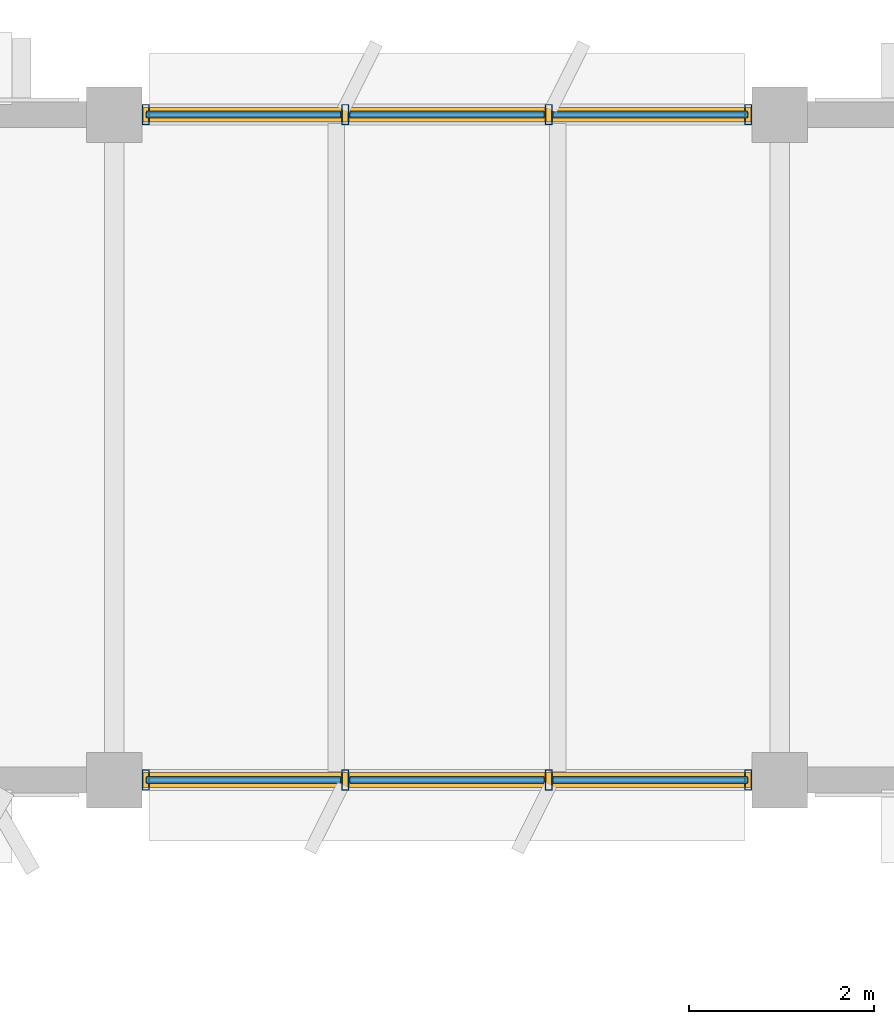
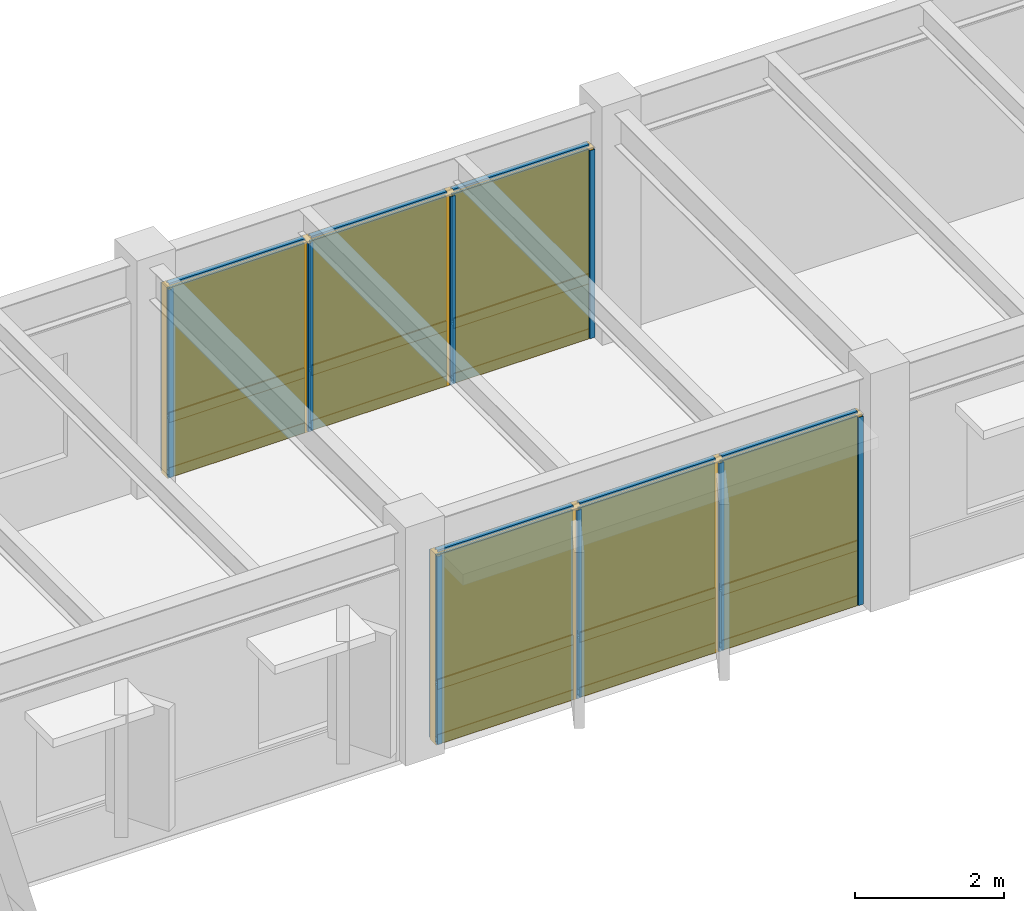
# One storey, part 67 of 82: 26 members, 12 plates, 2 curtain walls.
"""IFC4 building model written with IfcOpenShell, lengths in metres."""

import ifcopenshell
import ifcopenshell.guid

model = None  # the IFC model being written
_history = None  # IfcOwnerHistory: only IFC2X3 demands one
_inside = {}  # id of a spatial element -> (the spatial element, [elements in it])
_under = {}  # id of a project, library or spatial element -> (it, [spatial elements below it])
_declared = {}  # id of a project -> (the project, [libraries it declares])
_typed = {}  # id of a type object -> (the type object, [elements of that type])
_made_of = {}  # id of a material, layer set ... -> (it, [elements and type objects made of it])


def new_model(schema):
    """Start an empty IFC model of exactly this schema.

    Asked for "IFC4X3", IfcOpenShell would pick the latest addendum, in which some entities
    have other attributes; the version numbers below select the first issue.
    IFC2X3 requires an IfcOwnerHistory on every rooted entity: one is made here for all.
    """
    global model, _history
    if schema == "IFC4X3":
        model = ifcopenshell.file(schema_version=(4, 3, 0, 0))
    else:
        model = ifcopenshell.file(schema=schema)
    _inside.clear()
    _under.clear()
    _declared.clear()
    _typed.clear()
    _made_of.clear()
    _history = None
    if model.schema == "IFC2X3":
        org = make("IfcOrganization", Name="unknown")
        user = make(
            "IfcPersonAndOrganization",
            ThePerson=make("IfcPerson", FamilyName="unknown"),
            TheOrganization=org,
        )
        app = make(
            "IfcApplication",
            ApplicationDeveloper=org,
            Version="unknown",
            ApplicationFullName="unknown",
            ApplicationIdentifier="unknown",
        )
        _history = make(
            "IfcOwnerHistory",
            OwningUser=user,
            OwningApplication=app,
            ChangeAction="ADDED",
            CreationDate=0,
        )
    return model


def make(cls, **values):
    """One entity of the class cls with the attributes given. An attribute that is None is left unset."""
    return model.create_entity(
        cls, **{name: value for name, value in values.items() if value is not None}
    )


def rooted(cls, **values):
    """An entity with a GlobalId (a new one), such as an element, a storey or a relation."""
    return make(cls, GlobalId=ifcopenshell.guid.new(), OwnerHistory=_history, **values)


def si_unit(unit_type, name, prefix=None):
    """IfcSIUnit, for example si_unit("LENGTHUNIT", "METRE", prefix="MILLI")."""
    return make("IfcSIUnit", UnitType=unit_type, Prefix=prefix, Name=name)


def assignment(units):
    """IfcUnitAssignment: the units of a project."""
    return None if units is None else make("IfcUnitAssignment", Units=units)


def point(xyz):
    """IfcCartesianPoint."""
    return None if xyz is None else make("IfcCartesianPoint", Coordinates=xyz)


def direction(xyz):
    """IfcDirection."""
    return None if xyz is None else make("IfcDirection", DirectionRatios=xyz)


def frame(location, z_axis=None, x_axis=None):
    """IfcAxis2Placement3D, a coordinate frame: its origin and axes. An axis left out is left unset."""
    return make(
        "IfcAxis2Placement3D",
        Location=point(location),
        Axis=direction(z_axis),
        RefDirection=direction(x_axis),
    )


def frame_2d(location, x_axis=None):
    """IfcAxis2Placement2D, a coordinate frame in the plane: its origin and x axis."""
    return make(
        "IfcAxis2Placement2D", Location=point(location), RefDirection=direction(x_axis)
    )


def origin():
    """The frame at (0, 0, 0) with its axes left unset."""
    return frame((0.0, 0.0, 0.0))


def origin_2d():
    """The frame at (0, 0) in the plane with its x axis left unset."""
    return frame_2d((0.0, 0.0))


def place(relative_to, where):
    """IfcLocalPlacement: puts the frame where relative to a parent placement (None: the world)."""
    return make(
        "IfcLocalPlacement", PlacementRelTo=relative_to, RelativePlacement=where
    )


def context(
    kind, dimensions, precision=None, world=None, true_north=None, identifier=None
):
    """IfcGeometricRepresentationContext, for example the 3D "Model" context."""
    return make(
        "IfcGeometricRepresentationContext",
        ContextIdentifier=identifier,
        ContextType=kind,
        CoordinateSpaceDimension=dimensions,
        Precision=precision,
        WorldCoordinateSystem=world,
        TrueNorth=true_north,
    )


def subcontext(parent, identifier, kind, view, scale=None):
    """IfcGeometricRepresentationSubContext, for example "Body" below "Model"."""
    return make(
        "IfcGeometricRepresentationSubContext",
        ContextIdentifier=identifier,
        ContextType=kind,
        ParentContext=parent,
        TargetScale=scale,
        TargetView=view,
    )


def project(units=None, contexts=None):
    """IfcProject with its units and contexts."""
    return rooted(
        "IfcProject",
        Name="project",
        RepresentationContexts=contexts,
        UnitsInContext=assignment(units),
    )


def spatial(cls, under=None, at=None, **own):
    """A site, building, storey or space (cls), placed at a placement, below another one or the project."""
    s = rooted(cls, ObjectPlacement=at, **own)
    if under is not None:
        _under.setdefault(under.id(), (under, []))[1].append(s)
    return s


def profile(cls, at=None, kind="AREA", **sizes):
    """A parametric profile (cls). Its sizes go by their IFC names, for example OverallWidth=200.0."""
    return make(cls, ProfileType=kind, Position=at, **sizes)


def rectangle(**sizes):
    """IfcRectangleProfileDef."""
    return profile("IfcRectangleProfileDef", **sizes)


def hollow_rectangle(**sizes):
    """IfcRectangleHollowProfileDef."""
    return profile("IfcRectangleHollowProfileDef", **sizes)


def extrude(swept, where, along, depth):
    """IfcExtrudedAreaSolid: the profile swept, set in the frame where, extruded along a direction by depth."""
    return make(
        "IfcExtrudedAreaSolid",
        SweptArea=swept,
        Position=where,
        ExtrudedDirection=direction(along),
        Depth=depth,
    )


def shape(context_of_items, identifier, shape_type, items):
    """IfcShapeRepresentation: the items that make up one representation, for example the "Body"."""
    return make(
        "IfcShapeRepresentation",
        ContextOfItems=context_of_items,
        RepresentationIdentifier=identifier,
        RepresentationType=shape_type,
        Items=items,
    )


def material(Name=None, Category=None):
    """IfcMaterial."""
    return make("IfcMaterial", Name=Name, Category=Category)


def layer(
    of_material, thickness, ventilated=None, Name=None, Category=None, Priority=None
):
    """IfcMaterialLayer: one layer of a wall or slab, of a material (None: an air gap)."""
    return make(
        "IfcMaterialLayer",
        Material=of_material,
        LayerThickness=thickness,
        IsVentilated=ventilated,
        Name=Name,
        Category=Category,
        Priority=Priority,
    )


def layer_set(layers, Name=None):
    """IfcMaterialLayerSet."""
    return make("IfcMaterialLayerSet", MaterialLayers=layers, LayerSetName=Name)


def material_profile(
    of_material, cross_section, Name=None, Category=None, Priority=None
):
    """IfcMaterialProfile: a cross section and its material."""
    return make(
        "IfcMaterialProfile",
        Name=Name,
        Material=of_material,
        Profile=cross_section,
        Priority=Priority,
        Category=Category,
    )


def profile_set(profiles, Name=None, composite=None):
    """IfcMaterialProfileSet."""
    return make(
        "IfcMaterialProfileSet",
        Name=Name,
        MaterialProfiles=profiles,
        CompositeProfile=composite,
    )


def made_of(thing, what):
    """Note that an element or type object is made of a material, layer set ...; save() writes the relation."""
    if what is not None:
        _made_of.setdefault(what.id(), (what, []))[1].append(thing)
    return thing


def type_object(cls, material=None, **own):
    """A type object (cls), such as IfcWallType, which elements share."""
    return made_of(rooted(cls, **own), material)


def element(
    cls,
    number,
    at=None,
    inside=None,
    cuts=None,
    type_object=None,
    material=None,
    context=None,
    identifier="Body",
    shape_type=None,
    held_by="IfcProductDefinitionShape",
    body=None,
    shapes=None,
    **own,
):
    """One element of the class cls, such as IfcWall. Its Tag is "e" and its number.

    at: its placement. inside: the storey or other place that contains it. cuts: it is an
    opening in that element (IfcRelVoidsElement). A single representation is given by context,
    identifier, shape_type and body (its items); several are given by shapes. held_by: the class
    of the entity that holds the representations. save() writes the other relations.
    """
    e = rooted(cls, Tag="e%d" % number, ObjectPlacement=at, **own)
    if body is not None:
        shapes = [shape(context, identifier, shape_type, body)]
    if shapes is not None:
        e.Representation = make(held_by, Representations=shapes)
    if inside is not None:
        _inside.setdefault(inside.id(), (inside, []))[1].append(e)
    if cuts is not None:
        rooted(
            "IfcRelVoidsElement", RelatingBuildingElement=cuts, RelatedOpeningElement=e
        )
    if type_object is not None:
        _typed.setdefault(type_object.id(), (type_object, []))[1].append(e)
    return made_of(e, material)


def aggregate(whole, parts):
    """IfcRelAggregates: a whole, such as a stair, and the parts it consists of."""
    return rooted("IfcRelAggregates", RelatingObject=whole, RelatedObjects=parts)


def save(model, path):
    """Write the relations noted so far, then the file.

    IfcRelAggregates (storeys below a building ...), IfcRelContainedInSpatialStructure (elements
    in a storey), IfcRelDefinesByType, IfcRelAssociatesMaterial and IfcRelDeclares: one each for
    every whole, place, type object, material and project.
    """
    for whole, parts in _under.values():
        aggregate(whole, parts)
    for where, things in _inside.values():
        rooted(
            "IfcRelContainedInSpatialStructure",
            RelatedElements=things,
            RelatingStructure=where,
        )
    for kind, things in _typed.values():
        rooted("IfcRelDefinesByType", RelatedObjects=things, RelatingType=kind)
    for what, things in _made_of.values():
        rooted("IfcRelAssociatesMaterial", RelatedObjects=things, RelatingMaterial=what)
    for by, libraries in _declared.values():
        rooted("IfcRelDeclares", RelatingContext=by, RelatedDefinitions=libraries)
    model.write(path)


model = new_model("IFC4")

# Units and contexts
model_context = context("Model", 3, precision=1e-05, world=origin(), true_north=direction((0.0, 1.0)))
body_context = subcontext(model_context, "Body", "Model", "MODEL_VIEW")
ifc_project = project(units=[si_unit("LENGTHUNIT", "METRE"), si_unit("AREAUNIT", "SQUARE_METRE"), si_unit("VOLUMEUNIT", "CUBIC_METRE"), si_unit("PLANEANGLEUNIT", "RADIAN"), si_unit("MASSUNIT", "GRAM", prefix="KILO")], contexts=[model_context])

# Member
ifc_material_1 = material(Name="Anodized Aluminium 6063-T6", Category="aluminium")
ifc_material_profile_1 = material_profile(ifc_material_1, hollow_rectangle(XDim=0.074951171875, YDim=0.219970703125, WallThickness=0.0048828125, at=origin_2d()), Name="ALU 75x220x5")
ifc_profile_set_1 = profile_set([ifc_material_profile_1], Name="Anodized Aluminium 6063-T6")
member_type_1 = type_object("IfcMemberType", Name="CWM-75X180", PredefinedType="MULLION", material=ifc_profile_set_1)
site_placement = place(None, origin())
building_placement = place(site_placement, origin())
storey_placement = place(building_placement, frame((0.0, 0.0, 14.10009765625)))
member_1_placement = place(storey_placement, frame((86.06005859375, 108.0, 0.02001953125), z_axis=(0.0, 0.0, 1.0), x_axis=(1.0, 0.0, 0.0)))
member_1 = element("IfcMember", 1, at=member_1_placement, type_object=member_type_1, Name="Curtain wall mullion CW-L04-11-15-S-00", PredefinedType="MULLION", context=body_context, shape_type="SweptSolid", body=[
    extrude(hollow_rectangle(XDim=0.074951171875, YDim=0.219970703125, WallThickness=0.0048828125, at=origin_2d()), origin(), (0.0, 0.0, 1.0), 3.077880859375),
])

member_2_placement = place(storey_placement, frame((83.89990234375, 108.0, 0.02001953125), z_axis=(0.0, 0.0, 1.0), x_axis=(1.0, 0.0, 0.0)))
member_2 = element("IfcMember", 2, at=member_2_placement, type_object=member_type_1, Name="Curtain wall mullion CW-L04-11-15-S-01", PredefinedType="MULLION", context=body_context, shape_type="SweptSolid", body=[
    extrude(hollow_rectangle(XDim=0.074951171875, YDim=0.219970703125, WallThickness=0.0048828125, at=origin_2d()), origin(), (0.0, 0.0, 1.0), 3.077880859375),
])

member_3_placement = place(storey_placement, frame((81.699951171875, 108.0, 0.02001953125), z_axis=(0.0, 0.0, 1.0), x_axis=(1.0, 0.0, 0.0)))
member_3 = element("IfcMember", 3, at=member_3_placement, type_object=member_type_1, Name="Curtain wall mullion CW-L04-11-15-S-02", PredefinedType="MULLION", context=body_context, shape_type="SweptSolid", body=[
    extrude(hollow_rectangle(XDim=0.074951171875, YDim=0.219970703125, WallThickness=0.0048828125, at=origin_2d()), origin(), (0.0, 0.0, 1.0), 3.077880859375),
])

member_4_placement = place(storey_placement, frame((79.5400390625, 108.0, 0.02001953125), z_axis=(0.0, 0.0, 1.0), x_axis=(1.0, 0.0, 0.0)))
member_4 = element("IfcMember", 4, at=member_4_placement, type_object=member_type_1, Name="Curtain wall mullion CW-L04-11-15-S-03", PredefinedType="MULLION", context=body_context, shape_type="SweptSolid", body=[
    extrude(hollow_rectangle(XDim=0.074951171875, YDim=0.219970703125, WallThickness=0.0048828125, at=origin_2d()), origin(), (0.0, 0.0, 1.0), 3.077880859375),
])

member_5_placement = place(storey_placement, frame((79.5400390625, 115.199951171875, 0.02001953125), z_axis=(0.0, 0.0, 1.0), x_axis=(1.0, 0.0, 0.0)))
member_5 = element("IfcMember", 5, at=member_5_placement, type_object=member_type_1, Name="Curtain wall mullion CW-L04-11-15-N-00", PredefinedType="MULLION", context=body_context, shape_type="SweptSolid", body=[
    extrude(hollow_rectangle(XDim=0.074951171875, YDim=0.219970703125, WallThickness=0.0048828125, at=origin_2d()), origin(), (0.0, 0.0, 1.0), 3.077880859375),
])

member_6_placement = place(storey_placement, frame((81.699951171875, 115.199951171875, 0.02001953125), z_axis=(0.0, 0.0, 1.0), x_axis=(1.0, 0.0, 0.0)))
member_6 = element("IfcMember", 6, at=member_6_placement, type_object=member_type_1, Name="Curtain wall mullion CW-L04-11-15-N-01", PredefinedType="MULLION", context=body_context, shape_type="SweptSolid", body=[
    extrude(hollow_rectangle(XDim=0.074951171875, YDim=0.219970703125, WallThickness=0.0048828125, at=origin_2d()), origin(), (0.0, 0.0, 1.0), 3.077880859375),
])

member_7_placement = place(storey_placement, frame((83.89990234375, 115.199951171875, 0.02001953125), z_axis=(0.0, 0.0, 1.0), x_axis=(1.0, 0.0, 0.0)))
member_7 = element("IfcMember", 7, at=member_7_placement, type_object=member_type_1, Name="Curtain wall mullion CW-L04-11-15-N-02", PredefinedType="MULLION", context=body_context, shape_type="SweptSolid", body=[
    extrude(hollow_rectangle(XDim=0.074951171875, YDim=0.219970703125, WallThickness=0.0048828125, at=origin_2d()), origin(), (0.0, 0.0, 1.0), 3.077880859375),
])

member_8_placement = place(storey_placement, frame((86.06005859375, 115.199951171875, 0.02001953125), z_axis=(0.0, 0.0, 1.0), x_axis=(1.0, 0.0, 0.0)))
member_8 = element("IfcMember", 8, at=member_8_placement, type_object=member_type_1, Name="Curtain wall mullion CW-L04-11-15-N-03", PredefinedType="MULLION", context=body_context, shape_type="SweptSolid", body=[
    extrude(hollow_rectangle(XDim=0.074951171875, YDim=0.219970703125, WallThickness=0.0048828125, at=origin_2d()), origin(), (0.0, 0.0, 1.0), 3.077880859375),
])

ifc_material_profile_2 = material_profile(ifc_material_1, hollow_rectangle(XDim=0.074951171875, YDim=0.159912109375, WallThickness=0.00390625, at=origin_2d()), Name="ALU 75x160x4")
ifc_profile_set_2 = profile_set([ifc_material_profile_2], Name="Anodized Aluminium 6063-T6")
member_type_2 = type_object("IfcMemberType", Name="CWT-75X150", PredefinedType="USERDEFINED", material=ifc_profile_set_2)
member_9_placement = place(storey_placement, frame((86.050048828125, 108.0, 0.0498046875), z_axis=(-1.0, 0.0, 0.0), x_axis=(0.0, -1.0, 0.0)))
member_9 = element("IfcMember", 9, at=member_9_placement, type_object=member_type_2, Name="Curtain wall transom CW-L04-11-15-S-1.01", ObjectType="TRANSOM", PredefinedType="USERDEFINED", context=body_context, shape_type="SweptSolid", body=[
    extrude(hollow_rectangle(XDim=0.074951171875, YDim=0.159912109375, WallThickness=0.00390625, at=origin_2d()), origin(), (0.0, 0.0, 1.0), 2.10009765625),
])

member_10_placement = place(storey_placement, frame((83.85009765625, 108.0, 0.0498046875), z_axis=(-1.0, 0.0, 0.0), x_axis=(0.0, -1.0, 0.0)))
member_10 = element("IfcMember", 10, at=member_10_placement, type_object=member_type_2, Name="Curtain wall transom CW-L04-11-15-S-1.02", ObjectType="TRANSOM", PredefinedType="USERDEFINED", context=body_context, shape_type="SweptSolid", body=[
    extrude(hollow_rectangle(XDim=0.074951171875, YDim=0.159912109375, WallThickness=0.00390625, at=origin_2d()), origin(), (0.0, 0.0, 1.0), 2.10009765625),
])

member_11_placement = place(storey_placement, frame((81.64990234375, 108.0, 0.0498046875), z_axis=(-1.0, 0.0, 0.0), x_axis=(0.0, -1.0, 0.0)))
member_11 = element("IfcMember", 11, at=member_11_placement, type_object=member_type_2, Name="Curtain wall transom CW-L04-11-15-S-1.03", ObjectType="TRANSOM", PredefinedType="USERDEFINED", context=body_context, shape_type="SweptSolid", body=[
    extrude(hollow_rectangle(XDim=0.074951171875, YDim=0.159912109375, WallThickness=0.00390625, at=origin_2d()), origin(), (0.0, 0.0, 1.0), 2.099853515625),
])

member_12_placement = place(storey_placement, frame((86.050048828125, 108.0, 0.949951171875), z_axis=(-1.0, 0.0, 0.0), x_axis=(0.0, -1.0, 0.0)))
member_12 = element("IfcMember", 12, at=member_12_placement, type_object=member_type_2, Name="Curtain wall transom CW-L04-11-15-S-2.01", ObjectType="TRANSOM", PredefinedType="USERDEFINED", context=body_context, shape_type="SweptSolid", body=[
    extrude(hollow_rectangle(XDim=0.074951171875, YDim=0.159912109375, WallThickness=0.00390625, at=origin_2d()), origin(), (0.0, 0.0, 1.0), 2.10009765625),
])

member_13_placement = place(storey_placement, frame((83.85009765625, 108.0, 0.949951171875), z_axis=(-1.0, 0.0, 0.0), x_axis=(0.0, -1.0, 0.0)))
member_13 = element("IfcMember", 13, at=member_13_placement, type_object=member_type_2, Name="Curtain wall transom CW-L04-11-15-S-2.02", ObjectType="TRANSOM", PredefinedType="USERDEFINED", context=body_context, shape_type="SweptSolid", body=[
    extrude(hollow_rectangle(XDim=0.074951171875, YDim=0.159912109375, WallThickness=0.00390625, at=origin_2d()), origin(), (0.0, 0.0, 1.0), 2.10009765625),
])

member_14_placement = place(storey_placement, frame((81.64990234375, 108.0, 0.949951171875), z_axis=(-1.0, 0.0, 0.0), x_axis=(0.0, -1.0, 0.0)))
member_14 = element("IfcMember", 14, at=member_14_placement, type_object=member_type_2, Name="Curtain wall transom CW-L04-11-15-S-2.03", ObjectType="TRANSOM", PredefinedType="USERDEFINED", context=body_context, shape_type="SweptSolid", body=[
    extrude(hollow_rectangle(XDim=0.074951171875, YDim=0.159912109375, WallThickness=0.00390625, at=origin_2d()), origin(), (0.0, 0.0, 1.0), 2.099853515625),
])

member_15_placement = place(storey_placement, frame((86.050048828125, 108.0, 3.06787109375), z_axis=(-1.0, 0.0, 0.0), x_axis=(0.0, -1.0, 0.0)))
member_15 = element("IfcMember", 15, at=member_15_placement, type_object=member_type_2, Name="Curtain wall transom CW-L04-11-15-S-3.01", ObjectType="TRANSOM", PredefinedType="USERDEFINED", context=body_context, shape_type="SweptSolid", body=[
    extrude(hollow_rectangle(XDim=0.074951171875, YDim=0.159912109375, WallThickness=0.00390625, at=origin_2d()), origin(), (0.0, 0.0, 1.0), 2.10009765625),
])

member_16_placement = place(storey_placement, frame((83.85009765625, 108.0, 3.06787109375), z_axis=(-1.0, 0.0, 0.0), x_axis=(0.0, -1.0, 0.0)))
member_16 = element("IfcMember", 16, at=member_16_placement, type_object=member_type_2, Name="Curtain wall transom CW-L04-11-15-S-3.02", ObjectType="TRANSOM", PredefinedType="USERDEFINED", context=body_context, shape_type="SweptSolid", body=[
    extrude(hollow_rectangle(XDim=0.074951171875, YDim=0.159912109375, WallThickness=0.00390625, at=origin_2d()), origin(), (0.0, 0.0, 1.0), 2.10009765625),
])

member_17_placement = place(storey_placement, frame((81.64990234375, 108.0, 3.06787109375), z_axis=(-1.0, 0.0, 0.0), x_axis=(0.0, -1.0, 0.0)))
member_17 = element("IfcMember", 17, at=member_17_placement, type_object=member_type_2, Name="Curtain wall transom CW-L04-11-15-S-3.03", ObjectType="TRANSOM", PredefinedType="USERDEFINED", context=body_context, shape_type="SweptSolid", body=[
    extrude(hollow_rectangle(XDim=0.074951171875, YDim=0.159912109375, WallThickness=0.00390625, at=origin_2d()), origin(), (0.0, 0.0, 1.0), 2.099853515625),
])

member_18_placement = place(storey_placement, frame((79.550048828125, 115.199951171875, 0.0498046875), z_axis=(1.0, 0.0, 0.0), x_axis=(0.0, 1.0, 0.0)))
member_18 = element("IfcMember", 18, at=member_18_placement, type_object=member_type_2, Name="Curtain wall transom CW-L04-11-15-N-1.01", ObjectType="TRANSOM", PredefinedType="USERDEFINED", context=body_context, shape_type="SweptSolid", body=[
    extrude(hollow_rectangle(XDim=0.074951171875, YDim=0.159912109375, WallThickness=0.00390625, at=origin_2d()), origin(), (0.0, 0.0, 1.0), 2.099853515625),
])

member_19_placement = place(storey_placement, frame((81.75, 115.199951171875, 0.0498046875), z_axis=(1.0, 0.0, 0.0), x_axis=(0.0, 1.0, 0.0)))
member_19 = element("IfcMember", 19, at=member_19_placement, type_object=member_type_2, Name="Curtain wall transom CW-L04-11-15-N-1.02", ObjectType="TRANSOM", PredefinedType="USERDEFINED", context=body_context, shape_type="SweptSolid", body=[
    extrude(hollow_rectangle(XDim=0.074951171875, YDim=0.159912109375, WallThickness=0.00390625, at=origin_2d()), origin(), (0.0, 0.0, 1.0), 2.10009765625),
])

member_20_placement = place(storey_placement, frame((83.949951171875, 115.199951171875, 0.0498046875), z_axis=(1.0, 0.0, 0.0), x_axis=(0.0, 1.0, 0.0)))
member_20 = element("IfcMember", 20, at=member_20_placement, type_object=member_type_2, Name="Curtain wall transom CW-L04-11-15-N-1.03", ObjectType="TRANSOM", PredefinedType="USERDEFINED", context=body_context, shape_type="SweptSolid", body=[
    extrude(hollow_rectangle(XDim=0.074951171875, YDim=0.159912109375, WallThickness=0.00390625, at=origin_2d()), origin(), (0.0, 0.0, 1.0), 2.10009765625),
])

member_21_placement = place(storey_placement, frame((79.550048828125, 115.199951171875, 0.949951171875), z_axis=(1.0, 0.0, 0.0), x_axis=(0.0, 1.0, 0.0)))
member_21 = element("IfcMember", 21, at=member_21_placement, type_object=member_type_2, Name="Curtain wall transom CW-L04-11-15-N-2.01", ObjectType="TRANSOM", PredefinedType="USERDEFINED", context=body_context, shape_type="SweptSolid", body=[
    extrude(hollow_rectangle(XDim=0.074951171875, YDim=0.159912109375, WallThickness=0.00390625, at=origin_2d()), origin(), (0.0, 0.0, 1.0), 2.099853515625),
])

member_22_placement = place(storey_placement, frame((81.75, 115.199951171875, 0.949951171875), z_axis=(1.0, 0.0, 0.0), x_axis=(0.0, 1.0, 0.0)))
member_22 = element("IfcMember", 22, at=member_22_placement, type_object=member_type_2, Name="Curtain wall transom CW-L04-11-15-N-2.02", ObjectType="TRANSOM", PredefinedType="USERDEFINED", context=body_context, shape_type="SweptSolid", body=[
    extrude(hollow_rectangle(XDim=0.074951171875, YDim=0.159912109375, WallThickness=0.00390625, at=origin_2d()), origin(), (0.0, 0.0, 1.0), 2.10009765625),
])

member_23_placement = place(storey_placement, frame((83.949951171875, 115.199951171875, 0.949951171875), z_axis=(1.0, 0.0, 0.0), x_axis=(0.0, 1.0, 0.0)))
member_23 = element("IfcMember", 23, at=member_23_placement, type_object=member_type_2, Name="Curtain wall transom CW-L04-11-15-N-2.03", ObjectType="TRANSOM", PredefinedType="USERDEFINED", context=body_context, shape_type="SweptSolid", body=[
    extrude(hollow_rectangle(XDim=0.074951171875, YDim=0.159912109375, WallThickness=0.00390625, at=origin_2d()), origin(), (0.0, 0.0, 1.0), 2.10009765625),
])

member_24_placement = place(storey_placement, frame((79.550048828125, 115.199951171875, 3.06787109375), z_axis=(1.0, 0.0, 0.0), x_axis=(0.0, 1.0, 0.0)))
member_24 = element("IfcMember", 24, at=member_24_placement, type_object=member_type_2, Name="Curtain wall transom CW-L04-11-15-N-3.01", ObjectType="TRANSOM", PredefinedType="USERDEFINED", context=body_context, shape_type="SweptSolid", body=[
    extrude(hollow_rectangle(XDim=0.074951171875, YDim=0.159912109375, WallThickness=0.00390625, at=origin_2d()), origin(), (0.0, 0.0, 1.0), 2.099853515625),
])

member_25_placement = place(storey_placement, frame((81.75, 115.199951171875, 3.06787109375), z_axis=(1.0, 0.0, 0.0), x_axis=(0.0, 1.0, 0.0)))
member_25 = element("IfcMember", 25, at=member_25_placement, type_object=member_type_2, Name="Curtain wall transom CW-L04-11-15-N-3.02", ObjectType="TRANSOM", PredefinedType="USERDEFINED", context=body_context, shape_type="SweptSolid", body=[
    extrude(hollow_rectangle(XDim=0.074951171875, YDim=0.159912109375, WallThickness=0.00390625, at=origin_2d()), origin(), (0.0, 0.0, 1.0), 2.10009765625),
])

member_26_placement = place(storey_placement, frame((83.949951171875, 115.199951171875, 3.06787109375), z_axis=(1.0, 0.0, 0.0), x_axis=(0.0, 1.0, 0.0)))
member_26 = element("IfcMember", 26, at=member_26_placement, type_object=member_type_2, Name="Curtain wall transom CW-L04-11-15-N-3.03", ObjectType="TRANSOM", PredefinedType="USERDEFINED", context=body_context, shape_type="SweptSolid", body=[
    extrude(hollow_rectangle(XDim=0.074951171875, YDim=0.159912109375, WallThickness=0.00390625, at=origin_2d()), origin(), (0.0, 0.0, 1.0), 2.10009765625),
])

# Plate
ifc_material_2 = material(Name="Acoustic Laminated Low-E Glazing", Category="glass")
ifc_layer_1 = layer(ifc_material_2, 0.0439453125)
ifc_layer_set_1 = layer_set([ifc_layer_1], Name="Acoustic Laminated Low-E Glazing")
plate_type_1 = type_object("IfcPlateType", Name="CWP-IGU-44", PredefinedType="CURTAIN_PANEL", material=ifc_layer_set_1)
plate_1_placement = place(storey_placement, frame((85.0, 108.0, 0.98974609375), z_axis=(0.0, 0.0, 1.0), x_axis=(-1.0, 0.0, 0.0)))
plate_1 = element("IfcPlate", 27, at=plate_1_placement, type_object=plate_type_1, Name="Curtain wall vision glazing CW-L04-11-15-S-01", PredefinedType="CURTAIN_PANEL", context=body_context, shape_type="SweptSolid", body=[
    extrude(rectangle(XDim=2.110107421875, YDim=0.0400390625, at=origin_2d()), origin(), (0.0, 0.0, 1.0), 2.068115234375),
])

plate_2_placement = place(storey_placement, frame((82.800048828125, 108.0, 0.98974609375), z_axis=(0.0, 0.0, 1.0), x_axis=(-1.0, 0.0, 0.0)))
plate_2 = element("IfcPlate", 28, at=plate_2_placement, type_object=plate_type_1, Name="Curtain wall vision glazing CW-L04-11-15-S-02", PredefinedType="CURTAIN_PANEL", context=body_context, shape_type="SweptSolid", body=[
    extrude(rectangle(XDim=2.110107421875, YDim=0.0400390625, at=origin_2d()), origin(), (0.0, 0.0, 1.0), 2.068115234375),
])

plate_3_placement = place(storey_placement, frame((80.60009765625, 108.0, 0.98974609375), z_axis=(0.0, 0.0, 1.0), x_axis=(-1.0, 0.0, 0.0)))
plate_3 = element("IfcPlate", 29, at=plate_3_placement, type_object=plate_type_1, Name="Curtain wall vision glazing CW-L04-11-15-S-03", PredefinedType="CURTAIN_PANEL", context=body_context, shape_type="SweptSolid", body=[
    extrude(rectangle(XDim=2.110107421875, YDim=0.0400390625, at=origin_2d()), origin(), (0.0, 0.0, 1.0), 2.068115234375),
])

plate_4_placement = place(storey_placement, frame((80.60009765625, 115.199951171875, 0.98974609375), z_axis=(0.0, 0.0, 1.0), x_axis=(1.0, 0.0, 0.0)))
plate_4 = element("IfcPlate", 30, at=plate_4_placement, type_object=plate_type_1, Name="Curtain wall vision glazing CW-L04-11-15-N-01", PredefinedType="CURTAIN_PANEL", context=body_context, shape_type="SweptSolid", body=[
    extrude(rectangle(XDim=2.110107421875, YDim=0.0400390625, at=origin_2d()), origin(), (0.0, 0.0, 1.0), 2.068115234375),
])

plate_5_placement = place(storey_placement, frame((82.800048828125, 115.199951171875, 0.98974609375), z_axis=(0.0, 0.0, 1.0), x_axis=(1.0, 0.0, 0.0)))
plate_5 = element("IfcPlate", 31, at=plate_5_placement, type_object=plate_type_1, Name="Curtain wall vision glazing CW-L04-11-15-N-02", PredefinedType="CURTAIN_PANEL", context=body_context, shape_type="SweptSolid", body=[
    extrude(rectangle(XDim=2.110107421875, YDim=0.0400390625, at=origin_2d()), origin(), (0.0, 0.0, 1.0), 2.068115234375),
])

plate_6_placement = place(storey_placement, frame((85.0, 115.199951171875, 0.98974609375), z_axis=(0.0, 0.0, 1.0), x_axis=(1.0, 0.0, 0.0)))
plate_6 = element("IfcPlate", 32, at=plate_6_placement, type_object=plate_type_1, Name="Curtain wall vision glazing CW-L04-11-15-N-03", PredefinedType="CURTAIN_PANEL", context=body_context, shape_type="SweptSolid", body=[
    extrude(rectangle(XDim=2.110107421875, YDim=0.0400390625, at=origin_2d()), origin(), (0.0, 0.0, 1.0), 2.068115234375),
])

ifc_material_3 = material(Name="Insulated Stone-Composite Spandrel", Category="masonry")
ifc_layer_2 = layer(ifc_material_3, 0.068115234375)
ifc_layer_set_2 = layer_set([ifc_layer_2], Name="Insulated Stone-Composite Spandrel")
plate_type_2 = type_object("IfcPlateType", Name="CWP-SPN-68", PredefinedType="CURTAIN_PANEL", material=ifc_layer_set_2)
plate_7_placement = place(storey_placement, frame((85.0, 108.0, 0.080078125), z_axis=(0.0, 0.0, 1.0), x_axis=(-1.0, 0.0, 0.0)))
plate_7 = element("IfcPlate", 33, at=plate_7_placement, type_object=plate_type_2, Name="Curtain wall spandrel panel CW-L04-11-15-S-01", PredefinedType="CURTAIN_PANEL", context=body_context, shape_type="SweptSolid", body=[
    extrude(rectangle(XDim=2.110107421875, YDim=0.06005859375, at=origin_2d()), origin(), (0.0, 0.0, 1.0), 0.840087890625),
])

plate_8_placement = place(storey_placement, frame((82.800048828125, 108.0, 0.080078125), z_axis=(0.0, 0.0, 1.0), x_axis=(-1.0, 0.0, 0.0)))
plate_8 = element("IfcPlate", 34, at=plate_8_placement, type_object=plate_type_2, Name="Curtain wall spandrel panel CW-L04-11-15-S-02", PredefinedType="CURTAIN_PANEL", context=body_context, shape_type="SweptSolid", body=[
    extrude(rectangle(XDim=2.110107421875, YDim=0.06005859375, at=origin_2d()), origin(), (0.0, 0.0, 1.0), 0.840087890625),
])

plate_9_placement = place(storey_placement, frame((80.60009765625, 108.0, 0.080078125), z_axis=(0.0, 0.0, 1.0), x_axis=(-1.0, 0.0, 0.0)))
plate_9 = element("IfcPlate", 35, at=plate_9_placement, type_object=plate_type_2, Name="Curtain wall spandrel panel CW-L04-11-15-S-03", PredefinedType="CURTAIN_PANEL", context=body_context, shape_type="SweptSolid", body=[
    extrude(rectangle(XDim=2.110107421875, YDim=0.06005859375, at=origin_2d()), origin(), (0.0, 0.0, 1.0), 0.840087890625),
])

plate_10_placement = place(storey_placement, frame((80.60009765625, 115.199951171875, 0.080078125), z_axis=(0.0, 0.0, 1.0), x_axis=(1.0, 0.0, 0.0)))
plate_10 = element("IfcPlate", 36, at=plate_10_placement, type_object=plate_type_2, Name="Curtain wall spandrel panel CW-L04-11-15-N-01", PredefinedType="CURTAIN_PANEL", context=body_context, shape_type="SweptSolid", body=[
    extrude(rectangle(XDim=2.110107421875, YDim=0.06005859375, at=origin_2d()), origin(), (0.0, 0.0, 1.0), 0.840087890625),
])

plate_11_placement = place(storey_placement, frame((82.800048828125, 115.199951171875, 0.080078125), z_axis=(0.0, 0.0, 1.0), x_axis=(1.0, 0.0, 0.0)))
plate_11 = element("IfcPlate", 37, at=plate_11_placement, type_object=plate_type_2, Name="Curtain wall spandrel panel CW-L04-11-15-N-02", PredefinedType="CURTAIN_PANEL", context=body_context, shape_type="SweptSolid", body=[
    extrude(rectangle(XDim=2.110107421875, YDim=0.06005859375, at=origin_2d()), origin(), (0.0, 0.0, 1.0), 0.840087890625),
])

plate_12_placement = place(storey_placement, frame((85.0, 115.199951171875, 0.080078125), z_axis=(0.0, 0.0, 1.0), x_axis=(1.0, 0.0, 0.0)))
plate_12 = element("IfcPlate", 38, at=plate_12_placement, type_object=plate_type_2, Name="Curtain wall spandrel panel CW-L04-11-15-N-03", PredefinedType="CURTAIN_PANEL", context=body_context, shape_type="SweptSolid", body=[
    extrude(rectangle(XDim=2.110107421875, YDim=0.06005859375, at=origin_2d()), origin(), (0.0, 0.0, 1.0), 0.840087890625),
])

# Site, building, storey
site = spatial("IfcSite", under=ifc_project, at=site_placement, CompositionType="ELEMENT")
building = spatial("IfcBuilding", under=site, at=building_placement, Name="Sillqori Civic Hall", CompositionType="ELEMENT")
storey = spatial("IfcBuildingStorey", under=building, at=storey_placement, Name="L04", CompositionType="ELEMENT", Elevation=14.10009765625)

# Curtain wall
ifc_material_4 = material(Name="Anodized Aluminium Curtain Wall System", Category="aluminium")
curtain_wall_type = type_object("IfcCurtainWallType", Name="CW-AD-370", PredefinedType="NOTDEFINED", material=ifc_material_4)
curtain_wall_1_placement = place(storey_placement, frame((82.800048828125, 108.0, 0.0), z_axis=(0.0, 0.0, 1.0), x_axis=(-1.0, 0.0, 0.0)))
curtain_wall_1 = element("IfcCurtainWall", 39, at=curtain_wall_1_placement, inside=storey, type_object=curtain_wall_type, Name="L04 unitised curtain wall CW-L04-11-15-S", PredefinedType="NOTDEFINED", context=body_context, shape_type="SweptSolid", body=[
    extrude(rectangle(XDim=6.60009765625, YDim=0.159912109375, at=origin_2d()), origin(), (0.0, 0.0, 1.0), 3.117919921875),
])

aggregate(curtain_wall_1, [member_1, member_2, member_3, member_4, member_9, member_10, member_11, member_12, member_13, member_14, member_15, member_16, member_17, plate_7, plate_1, plate_8, plate_2, plate_9, plate_3])

curtain_wall_2_placement = place(storey_placement, frame((82.800048828125, 115.199951171875, 0.0), z_axis=(0.0, 0.0, 1.0), x_axis=(1.0, 0.0, 0.0)))
curtain_wall_2 = element("IfcCurtainWall", 40, at=curtain_wall_2_placement, inside=storey, type_object=curtain_wall_type, Name="L04 unitised curtain wall CW-L04-11-15-N", PredefinedType="NOTDEFINED", context=body_context, shape_type="SweptSolid", body=[
    extrude(rectangle(XDim=6.60009765625, YDim=0.159912109375, at=origin_2d()), origin(), (0.0, 0.0, 1.0), 3.117919921875),
])

aggregate(curtain_wall_2, [member_5, member_6, member_7, member_8, member_18, member_19, member_20, member_21, member_22, member_23, member_24, member_25, member_26, plate_10, plate_4, plate_11, plate_5, plate_12, plate_6])

save(model, "model.ifc")
